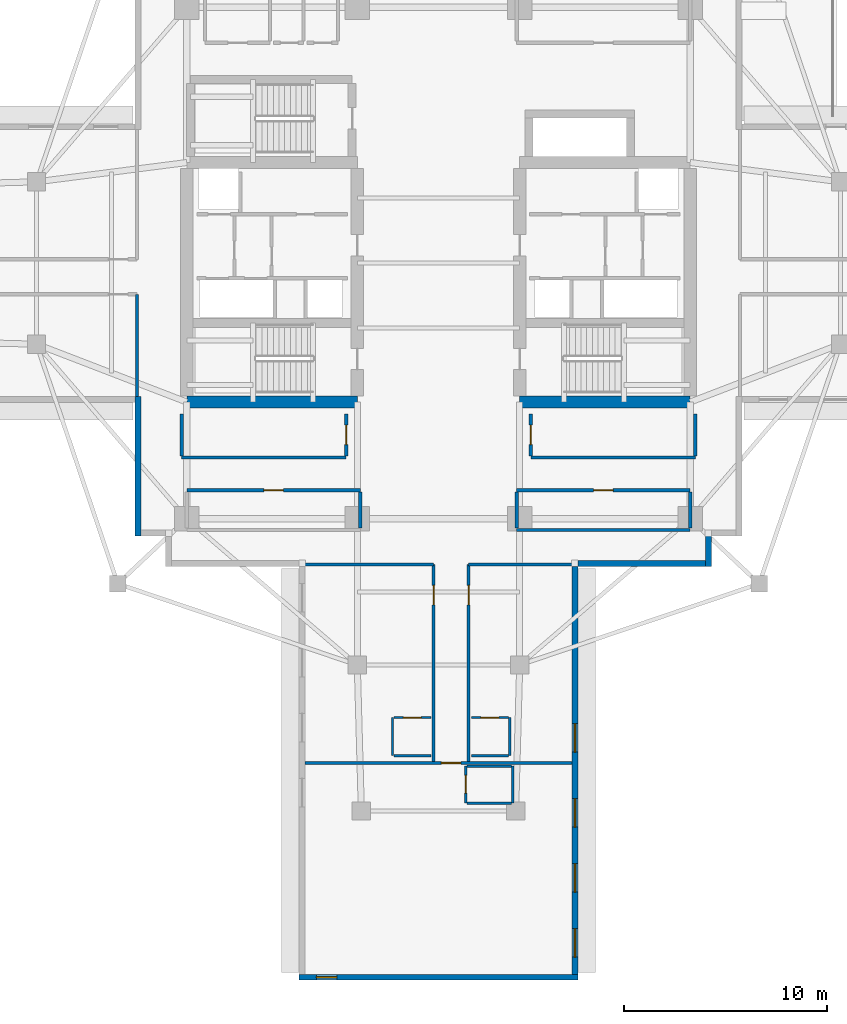
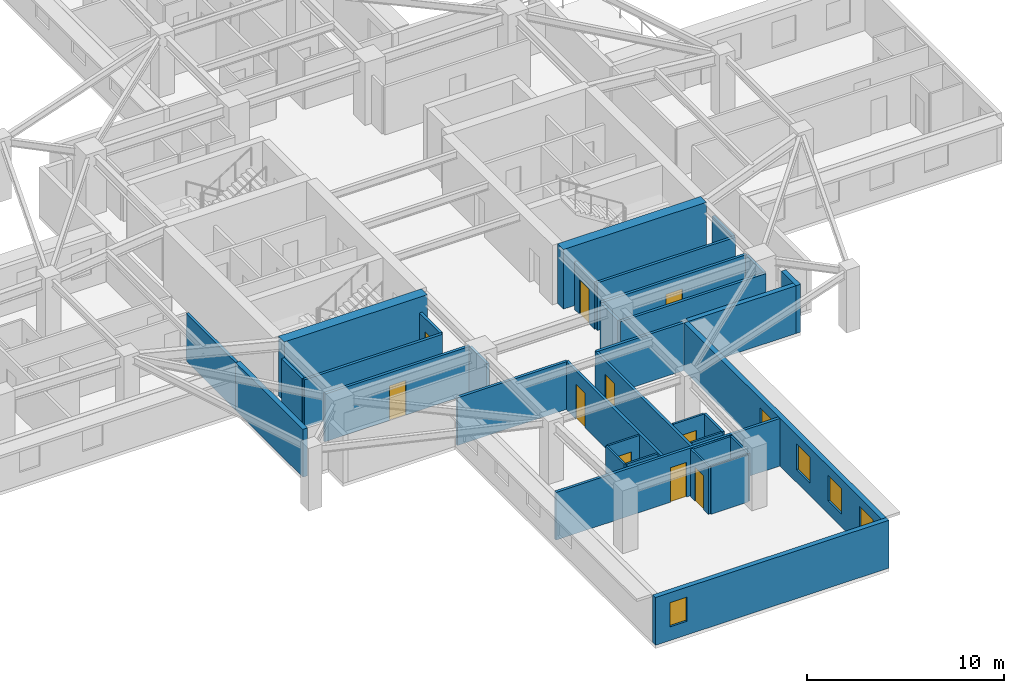
# One storey, part 3 of 13: 35 walls, 10 doors, 5 windows, 15 openings.
"""IFC4 building model written with IfcOpenShell, lengths in metres."""

from ifc_helpers import new_model, si_unit, direction, frame, frame_2d, origin, place, context, subcontext, project, spatial, rectangle, extrude, material, layer, layer_set, type_object, element, fill, save


model = new_model("IFC4")

# Units and contexts
model_context = context("Model", 3, precision=1e-05, world=origin(), true_north=direction((0.0, 1.0)))
body_context = subcontext(model_context, "Body", "Model", "MODEL_VIEW")
ifc_project = project(units=[si_unit("LENGTHUNIT", "METRE"), si_unit("AREAUNIT", "SQUARE_METRE"), si_unit("VOLUMEUNIT", "CUBIC_METRE"), si_unit("PLANEANGLEUNIT", "RADIAN"), si_unit("MASSUNIT", "GRAM", prefix="KILO")], contexts=[model_context])

# Site, building, storey
site_placement = place(None, origin())
site = spatial("IfcSite", under=ifc_project, at=site_placement, CompositionType="ELEMENT")
building_placement = place(site_placement, origin())
building = spatial("IfcBuilding", under=site, at=building_placement, Name="Qingluan Cross Belvedere", CompositionType="ELEMENT")
storey_placement = place(building_placement, frame((0.0, 0.0, 183.89990234375)))
storey = spatial("IfcBuildingStorey", under=building, at=storey_placement, Name="L46", CompositionType="ELEMENT", Elevation=183.89990234375)

# Walls
ifc_material_1 = material(Name="Concrete C60", Category="concrete")
ifc_layer_1 = layer(ifc_material_1, 0.60009765625, Name="CoreShearWall_600")
ifc_layer_set_1 = layer_set([ifc_layer_1], Name="Concrete C60")
wall_type_1 = type_object("IfcWallType", Name="CoreShearWall_600", PredefinedType="SHEAR", material=ifc_layer_set_1)
for number, where, z_axis, x_axis, name in (
    (1, (-12.39990234375, -6.85009765625, 0.0), (0.0, 0.0, 1.0), (1.0, 0.0, 0.0), "Split core W shear wall L46-S"),
    (2, (4.0, -6.85009765625, 0.0), (0.0, 0.0, 1.0), (1.0, 0.0, 0.0), "Split core E shear wall L46-S"),
):
    element("IfcWall", number, at=place(storey_placement, frame(where, z_axis=z_axis, x_axis=x_axis)), inside=storey, type_object=wall_type_1, Name=name, PredefinedType="SHEAR", context=body_context, shape_type="SweptSolid", body=[
        extrude(rectangle(XDim=8.39990234375, YDim=0.60009765625, at=frame_2d((4.199951171875, 0.0))), origin(), (0.0, 0.0, 1.0), 3.7001953125),
    ])

# Wall, opening, door
ifc_material_2 = material(Name="Gypsum plasterboard on steel stud acoustic partition", Category="steel")
ifc_layer_2 = layer(ifc_material_2, 0.159912109375, Name="CorridorPartition_160")
ifc_layer_set_2 = layer_set([ifc_layer_2], Name="Gypsum plasterboard on steel stud acoustic partition")
wall_type_2 = type_object("IfcWallType", Name="CorridorPartition_160", PredefinedType="PARTITIONING", material=ifc_layer_set_2)
wall_1_placement = place(storey_placement, frame((-12.39990234375, -11.199951171875, 0.0), z_axis=(0.0, 0.0, 1.0), x_axis=(1.0, 0.0, 0.0)))
wall_1 = element("IfcWall", 3, at=wall_1_placement, inside=storey, type_object=wall_type_2, Name="Partition L46:q_sw:N", PredefinedType="PARTITIONING", context=body_context, shape_type="SweptSolid", body=[
    extrude(rectangle(XDim=8.5498046875, YDim=0.159912109375, at=frame_2d((4.27490234375, 0.0))), origin(), (0.0, 0.0, 1.0), 2.960205078125),
])
opening_1_placement = place(wall_1_placement, frame((3.794921875, 0.0, 0.0)))
opening_1 = element("IfcOpeningElement", 4, at=opening_1_placement, cuts=wall_1, Name="Opening GD-10", PredefinedType="OPENING", context=body_context, shape_type="SweptSolid", body=[
    extrude(rectangle(XDim=0.9599609375, YDim=2.14990234375, at=frame_2d((0.47998046875, 1.074951171875))), frame((0.0, 0.08984375, 0.0), z_axis=(0.0, -1.0, 0.0), x_axis=(1.0, 0.0, 0.0)), (0.0, 0.0, 1.0), 0.179931640625),
])
ifc_material_3 = material(Name="Timber oak fire-rated acoustic guestroom door", Category="wood")
door_type_1 = type_object("IfcDoorType", Name="GuestEntryDoor_FD60", OperationType="NOTDEFINED", PredefinedType="DOOR", material=ifc_material_3)
door_1_placement = place(opening_1_placement, origin())
door_1 = element("IfcDoor", 5, at=door_1_placement, inside=storey, type_object=door_type_1, Name="Executive secretariat office L46 door", OperationType="SINGLE_SWING_RIGHT", OverallHeight=2.14990234375, OverallWidth=0.9599609375, PredefinedType="DOOR", context=body_context, shape_type="SweptSolid", body=[
    extrude(rectangle(XDim=0.9599609375, YDim=2.14990234375, at=frame_2d((0.47998046875, 1.074951171875))), frame((0.0, 0.02490234375, 0.0), z_axis=(0.0, -1.0, 0.0), x_axis=(1.0, 0.0, 0.0)), (0.0, 0.0, 1.0), 0.050048828125),
])
fill(opening_1, door_1)

# Walls
wall_2_placement = place(storey_placement, frame((-3.85009765625, -13.06494140625, 0.0), z_axis=(0.0, 0.0, 1.0), x_axis=(0.0, 1.0, 0.0)))
element("IfcWall", 6, at=wall_2_placement, inside=storey, type_object=wall_type_2, Name="Partition L46:q_sw:E", PredefinedType="PARTITIONING", context=body_context, shape_type="SweptSolid", body=[
    extrude(rectangle(XDim=1.780029296875, YDim=0.159912109375, at=frame_2d((0.89013671875, 0.0))), origin(), (0.0, 0.0, 1.0), 2.960205078125),
])
wall_3_placement = place(storey_placement, frame((3.85009765625, -13.14990234375, 0.0), z_axis=(0.0, 0.0, 1.0), x_axis=(1.0, 0.0, 0.0)))
element("IfcWall", 7, at=wall_3_placement, inside=storey, type_object=wall_type_2, Name="Partition L46:q_se:S", PredefinedType="PARTITIONING", context=body_context, shape_type="SweptSolid", body=[
    extrude(rectangle(XDim=8.5498046875, YDim=0.159912109375, at=frame_2d((4.27490234375, 0.0))), origin(), (0.0, 0.0, 1.0), 2.960205078125),
])

# Wall, opening, door
wall_4_placement = place(storey_placement, frame((3.85009765625, -11.199951171875, 0.0), z_axis=(0.0, 0.0, 1.0), x_axis=(1.0, 0.0, 0.0)))
wall_4 = element("IfcWall", 8, at=wall_4_placement, inside=storey, type_object=wall_type_2, Name="Partition L46:q_se:N", PredefinedType="PARTITIONING", context=body_context, shape_type="SweptSolid", body=[
    extrude(rectangle(XDim=8.5498046875, YDim=0.159912109375, at=frame_2d((4.27490234375, 0.0))), origin(), (0.0, 0.0, 1.0), 2.960205078125),
])
opening_2_placement = place(wall_4_placement, frame((3.794921875, 0.0, 0.0)))
opening_2 = element("IfcOpeningElement", 9, at=opening_2_placement, cuts=wall_4, Name="Opening GD-10", PredefinedType="OPENING", context=body_context, shape_type="SweptSolid", body=[
    extrude(rectangle(XDim=0.9599609375, YDim=2.14990234375, at=frame_2d((0.47998046875, 1.074951171875))), frame((0.0, 0.08984375, 0.0), z_axis=(0.0, -1.0, 0.0), x_axis=(1.0, 0.0, 0.0)), (0.0, 0.0, 1.0), 0.179931640625),
])
door_2_placement = place(opening_2_placement, origin())
door_2 = element("IfcDoor", 10, at=door_2_placement, inside=storey, type_object=door_type_1, Name="Member reading lounge L46 door", OperationType="SINGLE_SWING_LEFT", OverallHeight=2.14990234375, OverallWidth=0.9599609375, PredefinedType="DOOR", context=body_context, shape_type="SweptSolid", body=[
    extrude(rectangle(XDim=0.9599609375, YDim=2.14990234375, at=frame_2d((0.47998046875, 1.074951171875))), frame((0.0, 0.02490234375, 0.0), z_axis=(0.0, -1.0, 0.0), x_axis=(1.0, 0.0, 0.0)), (0.0, 0.0, 1.0), 0.050048828125),
])
fill(opening_2, door_2)

# Walls
for number, where, z_axis, x_axis, name in (
    (11, (3.85009765625, -13.06494140625, 0.0), (0.0, 0.0, 1.0), (0.0, 1.0, 0.0), "Partition L46:q_se:W"),
    (12, (12.39990234375, -13.06494140625, 0.0), (0.0, 0.0, 1.0), (0.0, 1.0, 0.0), "Partition L46:q_se:E"),
):
    element("IfcWall", number, at=place(storey_placement, frame(where, z_axis=z_axis, x_axis=x_axis)), inside=storey, type_object=wall_type_2, Name=name, PredefinedType="PARTITIONING", context=body_context, shape_type="SweptSolid", body=[
        extrude(rectangle(XDim=1.780029296875, YDim=0.159912109375, at=frame_2d((0.89013671875, 0.0))), origin(), (0.0, 0.0, 1.0), 2.960205078125),
    ])
wall_5_placement = place(storey_placement, frame((4.550048828125, -9.580078125, 0.0), z_axis=(0.0, 0.0, 1.0), x_axis=(1.0, 0.0, 0.0)))
element("IfcWall", 13, at=wall_5_placement, inside=storey, type_object=wall_type_2, Name="Partition L46:rec_st4:S", PredefinedType="PARTITIONING", context=body_context, shape_type="SweptSolid", body=[
    extrude(rectangle(XDim=8.099853515625, YDim=0.159912109375, at=frame_2d((4.0498046875, 0.0))), origin(), (0.0, 0.0, 1.0), 2.960205078125),
])

# Wall, opening, door
wall_6_placement = place(storey_placement, frame((4.550048828125, -9.4951171875, 0.0), z_axis=(0.0, 0.0, 1.0), x_axis=(0.0, 1.0, 0.0)))
wall_6 = element("IfcWall", 14, at=wall_6_placement, inside=storey, type_object=wall_type_2, Name="Partition L46:rec_st4:W", PredefinedType="PARTITIONING", context=body_context, shape_type="SweptSolid", body=[
    extrude(rectangle(XDim=2.06005859375, YDim=0.159912109375, at=frame_2d((1.030029296875, 0.0))), origin(), (0.0, 0.0, 1.0), 2.960205078125),
])
opening_3_placement = place(wall_6_placement, frame((0.550048828125, 0.0, 0.0)))
opening_3 = element("IfcOpeningElement", 15, at=opening_3_placement, cuts=wall_6, Name="Opening GD-10", PredefinedType="OPENING", context=body_context, shape_type="SweptSolid", body=[
    extrude(rectangle(XDim=0.9599609375, YDim=2.14990234375, at=frame_2d((0.47998046875, 1.074951171875))), frame((0.0, 0.08984375, 0.0), z_axis=(0.0, -1.0, 0.0), x_axis=(1.0, 0.0, 0.0)), (0.0, 0.0, 1.0), 0.179931640625),
])
door_3_placement = place(opening_3_placement, origin())
door_3 = element("IfcDoor", 16, at=door_3_placement, inside=storey, type_object=door_type_1, Name="Southeast club library room L46 door", OperationType="SINGLE_SWING_RIGHT", OverallHeight=2.14990234375, OverallWidth=0.9599609375, PredefinedType="DOOR", context=body_context, shape_type="SweptSolid", body=[
    extrude(rectangle(XDim=0.9599609375, YDim=2.14990234375, at=frame_2d((0.47998046875, 1.074951171875))), frame((0.0, 0.02490234375, 0.0), z_axis=(0.0, -1.0, 0.0), x_axis=(1.0, 0.0, 0.0)), (0.0, 0.0, 1.0), 0.050048828125),
])
fill(opening_3, door_3)

# Walls
wall_7_placement = place(storey_placement, frame((12.64990234375, -9.4951171875, 0.0), z_axis=(0.0, 0.0, 1.0), x_axis=(0.0, 1.0, 0.0)))
element("IfcWall", 17, at=wall_7_placement, inside=storey, type_object=wall_type_2, Name="Partition L46:rec_st4:E", PredefinedType="PARTITIONING", context=body_context, shape_type="SweptSolid", body=[
    extrude(rectangle(XDim=2.06005859375, YDim=0.159912109375, at=frame_2d((1.030029296875, 0.0))), origin(), (0.0, 0.0, 1.0), 2.960205078125),
])
wall_8_placement = place(storey_placement, frame((-12.64990234375, -9.580078125, 0.0), z_axis=(0.0, 0.0, 1.0), x_axis=(1.0, 0.0, 0.0)))
element("IfcWall", 18, at=wall_8_placement, inside=storey, type_object=wall_type_2, Name="Partition L46:rec_st4_w:S", PredefinedType="PARTITIONING", context=body_context, shape_type="SweptSolid", body=[
    extrude(rectangle(XDim=8.099853515625, YDim=0.159912109375, at=frame_2d((4.0498046875, 0.0))), origin(), (0.0, 0.0, 1.0), 2.960205078125),
])
wall_9_placement = place(storey_placement, frame((-12.64990234375, -9.4951171875, 0.0), z_axis=(0.0, 0.0, 1.0), x_axis=(0.0, 1.0, 0.0)))
element("IfcWall", 19, at=wall_9_placement, inside=storey, type_object=wall_type_2, Name="Partition L46:rec_st4_w:W", PredefinedType="PARTITIONING", context=body_context, shape_type="SweptSolid", body=[
    extrude(rectangle(XDim=2.06005859375, YDim=0.159912109375, at=frame_2d((1.030029296875, 0.0))), origin(), (0.0, 0.0, 1.0), 2.960205078125),
])

# Wall, opening, door
wall_10_placement = place(storey_placement, frame((-4.550048828125, -9.4951171875, 0.0), z_axis=(0.0, 0.0, 1.0), x_axis=(0.0, 1.0, 0.0)))
wall_10 = element("IfcWall", 20, at=wall_10_placement, inside=storey, type_object=wall_type_2, Name="Partition L46:rec_st4_w:E", PredefinedType="PARTITIONING", context=body_context, shape_type="SweptSolid", body=[
    extrude(rectangle(XDim=2.06005859375, YDim=0.159912109375, at=frame_2d((1.030029296875, 0.0))), origin(), (0.0, 0.0, 1.0), 2.960205078125),
])
opening_4_placement = place(wall_10_placement, frame((0.550048828125, 0.0, 0.0)))
opening_4 = element("IfcOpeningElement", 21, at=opening_4_placement, cuts=wall_10, Name="Opening GD-10", PredefinedType="OPENING", context=body_context, shape_type="SweptSolid", body=[
    extrude(rectangle(XDim=0.9599609375, YDim=2.14990234375, at=frame_2d((0.47998046875, 1.074951171875))), frame((0.0, 0.08984375, 0.0), z_axis=(0.0, -1.0, 0.0), x_axis=(1.0, 0.0, 0.0)), (0.0, 0.0, 1.0), 0.179931640625),
])
door_4_placement = place(opening_4_placement, origin())
door_4 = element("IfcDoor", 22, at=door_4_placement, inside=storey, type_object=door_type_1, Name="Southwest club reading room L46 door", OperationType="SINGLE_SWING_LEFT", OverallHeight=2.14990234375, OverallWidth=0.9599609375, PredefinedType="DOOR", context=body_context, shape_type="SweptSolid", body=[
    extrude(rectangle(XDim=0.9599609375, YDim=2.14990234375, at=frame_2d((0.47998046875, 1.074951171875))), frame((0.0, 0.02490234375, 0.0), z_axis=(0.0, -1.0, 0.0), x_axis=(1.0, 0.0, 0.0)), (0.0, 0.0, 1.0), 0.050048828125),
])
fill(opening_4, door_4)

# Wall
wall_11_placement = place(storey_placement, frame((-14.85009765625, -1.5400390625, 0.0), z_axis=(0.0, 0.0, 1.0), x_axis=(0.0, -1.0, 0.0)))
element("IfcWall", 23, at=wall_11_placement, inside=storey, type_object=wall_type_2, Name="Partition L46:W:s1", PredefinedType="PARTITIONING", context=body_context, shape_type="SweptSolid", body=[
    extrude(rectangle(XDim=5.031982421875, YDim=0.159912109375, at=frame_2d((2.51611328125, 0.0))), origin(), (0.0, 0.0, 1.0), 2.960205078125),
])

# Wall, opening, door
wall_12_placement = place(storey_placement, frame((1.47998046875, -14.85009765625, 0.0), z_axis=(0.0, 0.0, 1.0), x_axis=(0.0, -1.0, 0.0)))
wall_12 = element("IfcWall", 24, at=wall_12_placement, inside=storey, type_object=wall_type_2, Name="Partition L46:S:c0", PredefinedType="PARTITIONING", context=body_context, shape_type="SweptSolid", body=[
    extrude(rectangle(XDim=9.699951171875, YDim=0.159912109375, at=frame_2d((4.85009765625, 0.0))), origin(), (0.0, 0.0, 1.0), 2.960205078125),
])
opening_5_placement = place(wall_12_placement, frame((1.032958984375, 0.0, 0.0)))
opening_5 = element("IfcOpeningElement", 25, at=opening_5_placement, cuts=wall_12, Name="Opening GD-10", PredefinedType="OPENING", context=body_context, shape_type="SweptSolid", body=[
    extrude(rectangle(XDim=0.9599609375, YDim=2.14990234375, at=frame_2d((0.47998046875, 1.074951171875))), frame((0.0, 0.08984375, 0.0), z_axis=(0.0, -1.0, 0.0), x_axis=(1.0, 0.0, 0.0)), (0.0, 0.0, 1.0), 0.179931640625),
])
door_5_placement = place(opening_5_placement, origin())
door_5 = element("IfcDoor", 26, at=door_5_placement, inside=storey, type_object=door_type_1, Name="Guest entry fire door 4609", OperationType="SINGLE_SWING_RIGHT", OverallHeight=2.14990234375, OverallWidth=0.9599609375, PredefinedType="DOOR", context=body_context, shape_type="SweptSolid", body=[
    extrude(rectangle(XDim=0.9599609375, YDim=2.14990234375, at=frame_2d((0.47998046875, 1.074951171875))), frame((0.0, 0.02490234375, 0.0), z_axis=(0.0, -1.0, 0.0), x_axis=(1.0, 0.0, 0.0)), (0.0, 0.0, 1.0), 0.050048828125),
])
fill(opening_5, door_5)

# Wall
wall_13_placement = place(storey_placement, frame((1.47998046875, -14.85009765625, 0.0), z_axis=(0.0, 0.0, 1.0), x_axis=(1.0, 0.0, 0.0)))
element("IfcWall", 27, at=wall_13_placement, inside=storey, type_object=wall_type_2, Name="Partition L46:S:s0", PredefinedType="PARTITIONING", context=body_context, shape_type="SweptSolid", body=[
    extrude(rectangle(XDim=5.239990234375, YDim=0.159912109375, at=frame_2d((2.6201171875, 0.0))), origin(), (0.0, 0.0, 1.0), 2.960205078125),
])

# Wall, opening, door
wall_14_placement = place(storey_placement, frame((-0.239990234375, -14.85009765625, 0.0), z_axis=(0.0, 0.0, 1.0), x_axis=(0.0, -1.0, 0.0)))
wall_14 = element("IfcWall", 28, at=wall_14_placement, inside=storey, type_object=wall_type_2, Name="Partition L46:S:c1", PredefinedType="PARTITIONING", context=body_context, shape_type="SweptSolid", body=[
    extrude(rectangle(XDim=9.699951171875, YDim=0.159912109375, at=frame_2d((4.85009765625, 0.0))), origin(), (0.0, 0.0, 1.0), 2.960205078125),
])
opening_6_placement = place(wall_14_placement, frame((1.032958984375, 0.0, 0.0)))
opening_6 = element("IfcOpeningElement", 29, at=opening_6_placement, cuts=wall_14, Name="Opening GD-10", PredefinedType="OPENING", context=body_context, shape_type="SweptSolid", body=[
    extrude(rectangle(XDim=0.9599609375, YDim=2.14990234375, at=frame_2d((0.47998046875, 1.074951171875))), frame((0.0, 0.08984375, 0.0), z_axis=(0.0, -1.0, 0.0), x_axis=(1.0, 0.0, 0.0)), (0.0, 0.0, 1.0), 0.179931640625),
])
door_6_placement = place(opening_6_placement, origin())
door_6 = element("IfcDoor", 30, at=door_6_placement, inside=storey, type_object=door_type_1, Name="Guest entry fire door 4610", OperationType="SINGLE_SWING_RIGHT", OverallHeight=2.14990234375, OverallWidth=0.9599609375, PredefinedType="DOOR", context=body_context, shape_type="SweptSolid", body=[
    extrude(rectangle(XDim=0.9599609375, YDim=2.14990234375, at=frame_2d((0.47998046875, 1.074951171875))), frame((0.0, 0.02490234375, 0.0), z_axis=(0.0, -1.0, 0.0), x_axis=(1.0, 0.0, 0.0)), (0.0, 0.0, 1.0), 0.050048828125),
])
fill(opening_6, door_6)

# Wall
wall_15_placement = place(storey_placement, frame((-0.239990234375, -14.85009765625, 0.0), z_axis=(0.0, 0.0, 1.0), x_axis=(-1.0, 0.0, 0.0)))
element("IfcWall", 31, at=wall_15_placement, inside=storey, type_object=wall_type_2, Name="Partition L46:S:s1", PredefinedType="PARTITIONING", context=body_context, shape_type="SweptSolid", body=[
    extrude(rectangle(XDim=6.47998046875, YDim=0.159912109375, at=frame_2d((3.239990234375, 0.0))), origin(), (0.0, 0.0, 1.0), 2.960205078125),
])

# Wall, opening, door
wall_16_placement = place(storey_placement, frame((-6.572021484375, -24.6298828125, 0.0), z_axis=(0.0, 0.0, 1.0), x_axis=(1.0, 0.0, 0.0)))
wall_16 = element("IfcWall", 32, at=wall_16_placement, inside=storey, type_object=wall_type_2, Name="Partition L46:Scap:in", PredefinedType="PARTITIONING", context=body_context, shape_type="SweptSolid", body=[
    extrude(rectangle(XDim=13.14404296875, YDim=0.159912109375, at=frame_2d((6.572021484375, 0.0))), origin(), (0.0, 0.0, 1.0), 2.960205078125),
])
opening_7_placement = place(wall_16_placement, frame((6.7119140625, 0.0, 0.0)))
opening_7 = element("IfcOpeningElement", 33, at=opening_7_placement, cuts=wall_16, Name="Opening GD-10", PredefinedType="OPENING", context=body_context, shape_type="SweptSolid", body=[
    extrude(rectangle(XDim=0.9599609375, YDim=2.14990234375, at=frame_2d((0.47998046875, 1.074951171875))), frame((0.0, 0.08984375, 0.0), z_axis=(0.0, -1.0, 0.0), x_axis=(1.0, 0.0, 0.0)), (0.0, 0.0, 1.0), 0.179931640625),
])
door_7_placement = place(opening_7_placement, origin())
door_7 = element("IfcDoor", 34, at=door_7_placement, inside=storey, type_object=door_type_1, Name="Presidential suite entrance door L46S", OperationType="SINGLE_SWING_LEFT", OverallHeight=2.14990234375, OverallWidth=0.9599609375, PredefinedType="DOOR", context=body_context, shape_type="SweptSolid", body=[
    extrude(rectangle(XDim=0.9599609375, YDim=2.14990234375, at=frame_2d((0.47998046875, 1.074951171875))), frame((0.0, 0.02490234375, 0.0), z_axis=(0.0, -1.0, 0.0), x_axis=(1.0, 0.0, 0.0)), (0.0, 0.0, 1.0), 0.050048828125),
])
fill(opening_7, door_7)

ifc_material_4 = material(Name="Moisture-resistant gypsum board lining")
ifc_layer_3 = layer(ifc_material_4, 0.1201171875, Name="EnsuiteWetPartition_120")
ifc_layer_set_3 = layer_set([ifc_layer_3], Name="Moisture-resistant gypsum board lining")
wall_type_3 = type_object("IfcWallType", Name="EnsuiteWetPartition_120", PredefinedType="PARTITIONING", material=ifc_layer_set_3)
wall_17_placement = place(storey_placement, frame((1.6201171875, -22.389892578125, 0.0), z_axis=(0.0, 0.0, 1.0), x_axis=(1.0, 0.0, 0.0)))
wall_17 = element("IfcWall", 35, at=wall_17_placement, inside=storey, type_object=wall_type_3, Name="Partition L46:S:bs0_0", PredefinedType="PARTITIONING", context=body_context, shape_type="SweptSolid", body=[
    extrude(rectangle(XDim=1.81982421875, YDim=0.1201171875, at=frame_2d((0.909912109375, 0.0))), origin(), (0.0, 0.0, 1.0), 2.960205078125),
])
opening_8_placement = place(wall_17_placement, frame((0.469970703125, 0.0, 0.0)))
opening_8 = element("IfcOpeningElement", 36, at=opening_8_placement, cuts=wall_17, Name="Opening BD-09", PredefinedType="OPENING", context=body_context, shape_type="SweptSolid", body=[
    extrude(rectangle(XDim=0.8798828125, YDim=2.10009765625, at=frame_2d((0.43994140625, 1.050048828125))), frame((0.0, 0.070068359375, 0.0), z_axis=(0.0, -1.0, 0.0), x_axis=(1.0, 0.0, 0.0)), (0.0, 0.0, 1.0), 0.14013671875),
])
ifc_material_5 = material(Name="Moisture-sealed timber en-suite door", Category="wood")
door_type_2 = type_object("IfcDoorType", Name="BathroomDoor_880", OperationType="NOTDEFINED", PredefinedType="DOOR", material=ifc_material_5)
door_8_placement = place(opening_8_placement, origin())
door_8 = element("IfcDoor", 37, at=door_8_placement, inside=storey, type_object=door_type_2, Name="Bathroom door 4609", OperationType="SINGLE_SWING_LEFT", OverallHeight=2.10009765625, OverallWidth=0.8798828125, PredefinedType="DOOR", context=body_context, shape_type="SweptSolid", body=[
    extrude(rectangle(XDim=0.8798828125, YDim=2.10009765625, at=frame_2d((0.43994140625, 1.050048828125))), frame((0.0, 0.02490234375, 0.0), z_axis=(0.0, -1.0, 0.0), x_axis=(1.0, 0.0, 0.0)), (0.0, 0.0, 1.0), 0.050048828125),
])
fill(opening_8, door_8)

# Walls
wall_18_placement = place(storey_placement, frame((1.6201171875, -24.27001953125, 0.0), z_axis=(0.0, 0.0, 1.0), x_axis=(1.0, 0.0, 0.0)))
element("IfcWall", 38, at=wall_18_placement, inside=storey, type_object=wall_type_3, Name="Partition L46:S:bw0_0", PredefinedType="PARTITIONING", context=body_context, shape_type="SweptSolid", body=[
    extrude(rectangle(XDim=1.81982421875, YDim=0.1201171875, at=frame_2d((0.909912109375, 0.0))), origin(), (0.0, 0.0, 1.0), 2.960205078125),
])
wall_19_placement = place(storey_placement, frame((3.5048828125, -22.389892578125, 0.0), z_axis=(0.0, 0.0, 1.0), x_axis=(0.0, -1.0, 0.0)))
element("IfcWall", 39, at=wall_19_placement, inside=storey, type_object=wall_type_3, Name="Partition L46:S:bn0_0", PredefinedType="PARTITIONING", context=body_context, shape_type="SweptSolid", body=[
    extrude(rectangle(XDim=1.880126953125, YDim=0.1201171875, at=frame_2d((0.93994140625, 0.0))), origin(), (0.0, 0.0, 1.0), 2.960205078125),
])

# Wall, opening, door
wall_20_placement = place(storey_placement, frame((-2.199951171875, -22.389892578125, 0.0), z_axis=(0.0, 0.0, 1.0), x_axis=(1.0, 0.0, 0.0)))
wall_20 = element("IfcWall", 40, at=wall_20_placement, inside=storey, type_object=wall_type_3, Name="Partition L46:S:bs1_0", PredefinedType="PARTITIONING", context=body_context, shape_type="SweptSolid", body=[
    extrude(rectangle(XDim=1.820068359375, YDim=0.1201171875, at=frame_2d((0.91015625, 0.0))), origin(), (0.0, 0.0, 1.0), 2.960205078125),
])
opening_9_placement = place(wall_20_placement, frame((0.469970703125, 0.0, 0.0)))
opening_9 = element("IfcOpeningElement", 41, at=opening_9_placement, cuts=wall_20, Name="Opening BD-09", PredefinedType="OPENING", context=body_context, shape_type="SweptSolid", body=[
    extrude(rectangle(XDim=0.8798828125, YDim=2.10009765625, at=frame_2d((0.43994140625, 1.050048828125))), frame((0.0, 0.070068359375, 0.0), z_axis=(0.0, -1.0, 0.0), x_axis=(1.0, 0.0, 0.0)), (0.0, 0.0, 1.0), 0.14013671875),
])
door_9_placement = place(opening_9_placement, origin())
door_9 = element("IfcDoor", 42, at=door_9_placement, inside=storey, type_object=door_type_2, Name="Bathroom door 4610", OperationType="SINGLE_SWING_LEFT", OverallHeight=2.10009765625, OverallWidth=0.8798828125, PredefinedType="DOOR", context=body_context, shape_type="SweptSolid", body=[
    extrude(rectangle(XDim=0.8798828125, YDim=2.10009765625, at=frame_2d((0.43994140625, 1.050048828125))), frame((0.0, 0.02490234375, 0.0), z_axis=(0.0, -1.0, 0.0), x_axis=(1.0, 0.0, 0.0)), (0.0, 0.0, 1.0), 0.050048828125),
])
fill(opening_9, door_9)

# Walls
wall_21_placement = place(storey_placement, frame((-2.199951171875, -24.27001953125, 0.0), z_axis=(0.0, 0.0, 1.0), x_axis=(1.0, 0.0, 0.0)))
element("IfcWall", 43, at=wall_21_placement, inside=storey, type_object=wall_type_3, Name="Partition L46:S:bw1_0", PredefinedType="PARTITIONING", context=body_context, shape_type="SweptSolid", body=[
    extrude(rectangle(XDim=1.820068359375, YDim=0.1201171875, at=frame_2d((0.91015625, 0.0))), origin(), (0.0, 0.0, 1.0), 2.960205078125),
])
wall_22_placement = place(storey_placement, frame((-2.264892578125, -22.389892578125, 0.0), z_axis=(0.0, 0.0, 1.0), x_axis=(0.0, -1.0, 0.0)))
element("IfcWall", 44, at=wall_22_placement, inside=storey, type_object=wall_type_3, Name="Partition L46:S:bc1_0", PredefinedType="PARTITIONING", context=body_context, shape_type="SweptSolid", body=[
    extrude(rectangle(XDim=1.880126953125, YDim=0.1201171875, at=frame_2d((0.93994140625, 0.0))), origin(), (0.0, 0.0, 1.0), 2.960205078125),
])

# Wall, opening, door
wall_23_placement = place(storey_placement, frame((1.340087890625, -24.7900390625, 0.0), z_axis=(0.0, 0.0, 1.0), x_axis=(0.0, -1.0, 0.0)))
wall_23 = element("IfcWall", 45, at=wall_23_placement, inside=storey, type_object=wall_type_3, Name="Partition L46:Scap:bs", PredefinedType="PARTITIONING", context=body_context, shape_type="SweptSolid", body=[
    extrude(rectangle(XDim=1.820068359375, YDim=0.1201171875, at=frame_2d((0.91015625, 0.0))), origin(), (0.0, 0.0, 1.0), 2.960205078125),
])
opening_10_placement = place(wall_23_placement, frame((0.449951171875, 0.0, 0.0)))
opening_10 = element("IfcOpeningElement", 46, at=opening_10_placement, cuts=wall_23, Name="Opening BD-09", PredefinedType="OPENING", context=body_context, shape_type="SweptSolid", body=[
    extrude(rectangle(XDim=0.8798828125, YDim=2.10009765625, at=frame_2d((0.43994140625, 1.050048828125))), frame((0.0, 0.070068359375, 0.0), z_axis=(0.0, -1.0, 0.0), x_axis=(1.0, 0.0, 0.0)), (0.0, 0.0, 1.0), 0.14013671875),
])
door_10_placement = place(opening_10_placement, origin())
door_10 = element("IfcDoor", 47, at=door_10_placement, inside=storey, type_object=door_type_2, Name="En-suite bathroom door L46S", OperationType="SINGLE_SWING_RIGHT", OverallHeight=2.10009765625, OverallWidth=0.8798828125, PredefinedType="DOOR", context=body_context, shape_type="SweptSolid", body=[
    extrude(rectangle(XDim=0.8798828125, YDim=2.10009765625, at=frame_2d((0.43994140625, 1.050048828125))), frame((0.0, 0.02490234375, 0.0), z_axis=(0.0, -1.0, 0.0), x_axis=(1.0, 0.0, 0.0)), (0.0, 0.0, 1.0), 0.050048828125),
])
fill(opening_10, door_10)

# Walls
wall_24_placement = place(storey_placement, frame((3.659912109375, -24.7900390625, 0.0), z_axis=(0.0, 0.0, 1.0), x_axis=(0.0, -1.0, 0.0)))
element("IfcWall", 48, at=wall_24_placement, inside=storey, type_object=wall_type_3, Name="Partition L46:Scap:bb", PredefinedType="PARTITIONING", context=body_context, shape_type="SweptSolid", body=[
    extrude(rectangle(XDim=1.820068359375, YDim=0.1201171875, at=frame_2d((0.91015625, 0.0))), origin(), (0.0, 0.0, 1.0), 2.960205078125),
])
for number, where, z_axis, x_axis, name in (
    (49, (1.409912109375, -24.7900390625, 0.0), (0.0, 0.0, 1.0), (1.0, 0.0, 0.0), "Partition L46:Scap:ba"),
    (50, (1.409912109375, -26.610107421875, 0.0), (0.0, 0.0, 1.0), (1.0, 0.0, 0.0), "Partition L46:Scap:bn"),
):
    element("IfcWall", number, at=place(storey_placement, frame(where, z_axis=z_axis, x_axis=x_axis)), inside=storey, type_object=wall_type_3, Name=name, PredefinedType="PARTITIONING", context=body_context, shape_type="SweptSolid", body=[
        extrude(rectangle(XDim=2.18017578125, YDim=0.1201171875, at=frame_2d((1.090087890625, 0.0))), origin(), (0.0, 0.0, 1.0), 2.960205078125),
    ])

# Wall, openings, windows
ifc_material_6 = material(Name="Precast concrete C45", Category="concrete")
ifc_layer_4 = layer(ifc_material_6, 0.280029296875, Name="PrecastFacadeWall_280")
ifc_layer_set_4 = layer_set([ifc_layer_4], Name="Precast concrete C45")
wall_type_4 = type_object("IfcWallType", Name="PrecastFacadeWall_280", PredefinedType="STANDARD", material=ifc_layer_set_4)
wall_25_placement = place(storey_placement, frame((6.719970703125, -35.0400390625, 0.0), z_axis=(0.0, 0.0, 1.0), x_axis=(0.0, 1.0, 0.0)))
wall_25 = element("IfcWall", 51, at=wall_25_placement, inside=storey, type_object=wall_type_4, Name="Facade wall L46-SB", PredefinedType="STANDARD", context=body_context, shape_type="SweptSolid", body=[
    extrude(rectangle(XDim=20.10009765625, YDim=0.280029296875, at=frame_2d((10.050048828125, 0.0))), origin(), (0.0, 0.0, 1.0), 2.97021484375),
])
opening_11_placement = place(wall_25_placement, frame((0.85009765625, 0.0, 0.800048828125)))
opening_11 = element("IfcOpeningElement", 52, at=opening_11_placement, cuts=wall_25, Name="Opening W-01", PredefinedType="OPENING", context=body_context, shape_type="SweptSolid", body=[
    extrude(rectangle(XDim=1.39990234375, YDim=1.60009765625, at=frame_2d((0.699951171875, 0.800048828125))), frame((0.0, 0.14990234375, 0.0), z_axis=(0.0, -1.0, 0.0), x_axis=(1.0, 0.0, 0.0)), (0.0, 0.0, 1.0), 0.300048828125),
])
opening_12_placement = place(wall_25_placement, frame((4.050048828125, 0.0, 0.800048828125)))
opening_12 = element("IfcOpeningElement", 53, at=opening_12_placement, cuts=wall_25, Name="Opening W-01", PredefinedType="OPENING", context=body_context, shape_type="SweptSolid", body=[
    extrude(rectangle(XDim=1.39990234375, YDim=1.60009765625, at=frame_2d((0.699951171875, 0.800048828125))), frame((0.0, 0.14990234375, 0.0), z_axis=(0.0, -1.0, 0.0), x_axis=(1.0, 0.0, 0.0)), (0.0, 0.0, 1.0), 0.300048828125),
])
opening_13_placement = place(wall_25_placement, frame((7.25, 0.0, 0.800048828125)))
opening_13 = element("IfcOpeningElement", 54, at=opening_13_placement, cuts=wall_25, Name="Opening W-01", PredefinedType="OPENING", context=body_context, shape_type="SweptSolid", body=[
    extrude(rectangle(XDim=1.39990234375, YDim=1.60009765625, at=frame_2d((0.699951171875, 0.800048828125))), frame((0.0, 0.14990234375, 0.0), z_axis=(0.0, -1.0, 0.0), x_axis=(1.0, 0.0, 0.0)), (0.0, 0.0, 1.0), 0.300048828125),
])
opening_14_placement = place(wall_25_placement, frame((10.949951171875, 0.0, 0.800048828125)))
opening_14 = element("IfcOpeningElement", 55, at=opening_14_placement, cuts=wall_25, Name="Opening W-01", PredefinedType="OPENING", context=body_context, shape_type="SweptSolid", body=[
    extrude(rectangle(XDim=1.39990234375, YDim=1.60009765625, at=frame_2d((0.699951171875, 0.800048828125))), frame((0.0, 0.14990234375, 0.0), z_axis=(0.0, -1.0, 0.0), x_axis=(1.0, 0.0, 0.0)), (0.0, 0.0, 1.0), 0.300048828125),
])
ifc_material_7 = material(Name="Thermally broken triple Low-E glass in aluminium frame", Category="aluminium")
window_type_1 = type_object("IfcWindowType", Name="TriRibbonWin_1400x1600", PartitioningType="SINGLE_PANEL", PredefinedType="WINDOW", material=ifc_material_7)
window_1_placement = place(opening_11_placement, origin())
window_1 = element("IfcWindow", 56, at=window_1_placement, inside=storey, type_object=window_type_1, Name="Ribbon window L46-SB-1", OverallHeight=1.60009765625, OverallWidth=1.39990234375, PartitioningType="SINGLE_PANEL", PredefinedType="WINDOW", context=body_context, shape_type="SweptSolid", body=[
    extrude(rectangle(XDim=1.39990234375, YDim=1.60009765625, at=frame_2d((0.699951171875, 0.800048828125))), frame((0.0, 0.030029296875, 0.0), z_axis=(0.0, -1.0, 0.0), x_axis=(1.0, 0.0, 0.0)), (0.0, 0.0, 1.0), 0.06005859375),
])
fill(opening_11, window_1)
window_2_placement = place(opening_12_placement, origin())
window_2 = element("IfcWindow", 57, at=window_2_placement, inside=storey, type_object=window_type_1, Name="Ribbon window L46-SB-2", OverallHeight=1.60009765625, OverallWidth=1.39990234375, PartitioningType="SINGLE_PANEL", PredefinedType="WINDOW", context=body_context, shape_type="SweptSolid", body=[
    extrude(rectangle(XDim=1.39990234375, YDim=1.60009765625, at=frame_2d((0.699951171875, 0.800048828125))), frame((0.0, 0.030029296875, 0.0), z_axis=(0.0, -1.0, 0.0), x_axis=(1.0, 0.0, 0.0)), (0.0, 0.0, 1.0), 0.06005859375),
])
fill(opening_12, window_2)
window_3_placement = place(opening_13_placement, origin())
window_3 = element("IfcWindow", 58, at=window_3_placement, inside=storey, type_object=window_type_1, Name="Ribbon window L46-SB-3", OverallHeight=1.60009765625, OverallWidth=1.39990234375, PartitioningType="SINGLE_PANEL", PredefinedType="WINDOW", context=body_context, shape_type="SweptSolid", body=[
    extrude(rectangle(XDim=1.39990234375, YDim=1.60009765625, at=frame_2d((0.699951171875, 0.800048828125))), frame((0.0, 0.030029296875, 0.0), z_axis=(0.0, -1.0, 0.0), x_axis=(1.0, 0.0, 0.0)), (0.0, 0.0, 1.0), 0.06005859375),
])
fill(opening_13, window_3)
window_4_placement = place(opening_14_placement, origin())
window_4 = element("IfcWindow", 59, at=window_4_placement, inside=storey, type_object=window_type_1, Name="Ribbon window L46-SB-4", OverallHeight=1.60009765625, OverallWidth=1.39990234375, PartitioningType="SINGLE_PANEL", PredefinedType="WINDOW", context=body_context, shape_type="SweptSolid", body=[
    extrude(rectangle(XDim=1.39990234375, YDim=1.60009765625, at=frame_2d((0.699951171875, 0.800048828125))), frame((0.0, 0.030029296875, 0.0), z_axis=(0.0, -1.0, 0.0), x_axis=(1.0, 0.0, 0.0)), (0.0, 0.0, 1.0), 0.06005859375),
])
fill(opening_14, window_4)

# Wall, opening, window
wall_26_placement = place(storey_placement, frame((-6.860107421875, -35.179931640625, 0.0), z_axis=(0.0, 0.0, 1.0), x_axis=(1.0, 0.0, 0.0)))
wall_26 = element("IfcWall", 60, at=wall_26_placement, inside=storey, type_object=wall_type_4, Name="Arm tip precast facade wall L46-S", PredefinedType="STANDARD", context=body_context, shape_type="SweptSolid", body=[
    extrude(rectangle(XDim=13.72021484375, YDim=0.280029296875, at=frame_2d((6.860107421875, 0.0))), origin(), (0.0, 0.0, 1.0), 2.97021484375),
])
opening_15_placement = place(wall_26_placement, frame((0.85009765625, 0.0, 0.85009765625)))
opening_15 = element("IfcOpeningElement", 61, at=opening_15_placement, cuts=wall_26, Name="Opening W-03", PredefinedType="OPENING", context=body_context, shape_type="SweptSolid", body=[
    extrude(rectangle(XDim=1.0, YDim=1.5, at=frame_2d((0.5, 0.75))), frame((0.0, 0.14990234375, 0.0), z_axis=(0.0, -1.0, 0.0), x_axis=(1.0, 0.0, 0.0)), (0.0, 0.0, 1.0), 0.300048828125),
])
ifc_material_8 = material(Name="Thermally broken triple Low-E glass in aluminium frame", Category="aluminium")
window_type_2 = type_object("IfcWindowType", Name="TriApexWin_1000x1500", PartitioningType="SINGLE_PANEL", PredefinedType="WINDOW", material=ifc_material_8)
window_5_placement = place(opening_15_placement, origin())
window_5 = element("IfcWindow", 62, at=window_5_placement, inside=storey, type_object=window_type_2, Name="Arm tip triangular window L46-S", OverallHeight=1.5, OverallWidth=1.0, PartitioningType="SINGLE_PANEL", PredefinedType="WINDOW", context=body_context, shape_type="SweptSolid", body=[
    extrude(rectangle(XDim=1.0, YDim=1.5, at=frame_2d((0.5, 0.75))), frame((0.0, 0.030029296875, 0.0), z_axis=(0.0, -1.0, 0.0), x_axis=(1.0, 0.0, 0.0)), (0.0, 0.0, 1.0), 0.06005859375),
])
fill(opening_15, window_5)

# Walls
wall_27_placement = place(storey_placement, frame((-14.800048828125, -6.580078125, 0.0), z_axis=(0.0, 0.0, 1.0), x_axis=(0.0, -1.0, 0.0)))
element("IfcWall", 63, at=wall_27_placement, inside=storey, type_object=wall_type_4, Name="Corner wall L46-SW1", PredefinedType="STANDARD", context=body_context, shape_type="SweptSolid", body=[
    extrude(rectangle(XDim=6.85986328125, YDim=0.280029296875, at=frame_2d((3.429931640625, 0.0))), origin(), (0.0, 0.0, 1.0), 2.97021484375),
])
wall_28_placement = place(storey_placement, frame((13.300048828125, -13.43994140625, 0.0), z_axis=(0.0, 0.0, 1.0), x_axis=(0.0, -1.0, 0.0)))
element("IfcWall", 64, at=wall_28_placement, inside=storey, type_object=wall_type_4, Name="Corner wall L46-SE3", PredefinedType="STANDARD", context=body_context, shape_type="SweptSolid", body=[
    extrude(rectangle(XDim=1.5, YDim=0.280029296875, at=frame_2d((0.75, 0.0))), origin(), (0.0, 0.0, 1.0), 2.97021484375),
])
wall_29_placement = place(storey_placement, frame((13.159912109375, -14.800048828125, 0.0), z_axis=(0.0, 0.0, 1.0), x_axis=(-1.0, 0.0, 0.0)))
element("IfcWall", 65, at=wall_29_placement, inside=storey, type_object=wall_type_4, Name="Corner wall L46-SE4", PredefinedType="STANDARD", context=body_context, shape_type="SweptSolid", body=[
    extrude(rectangle(XDim=6.2998046875, YDim=0.280029296875, at=frame_2d((3.14990234375, 0.0))), origin(), (0.0, 0.0, 1.0), 2.97021484375),
])

save(model, "model.ifc")
